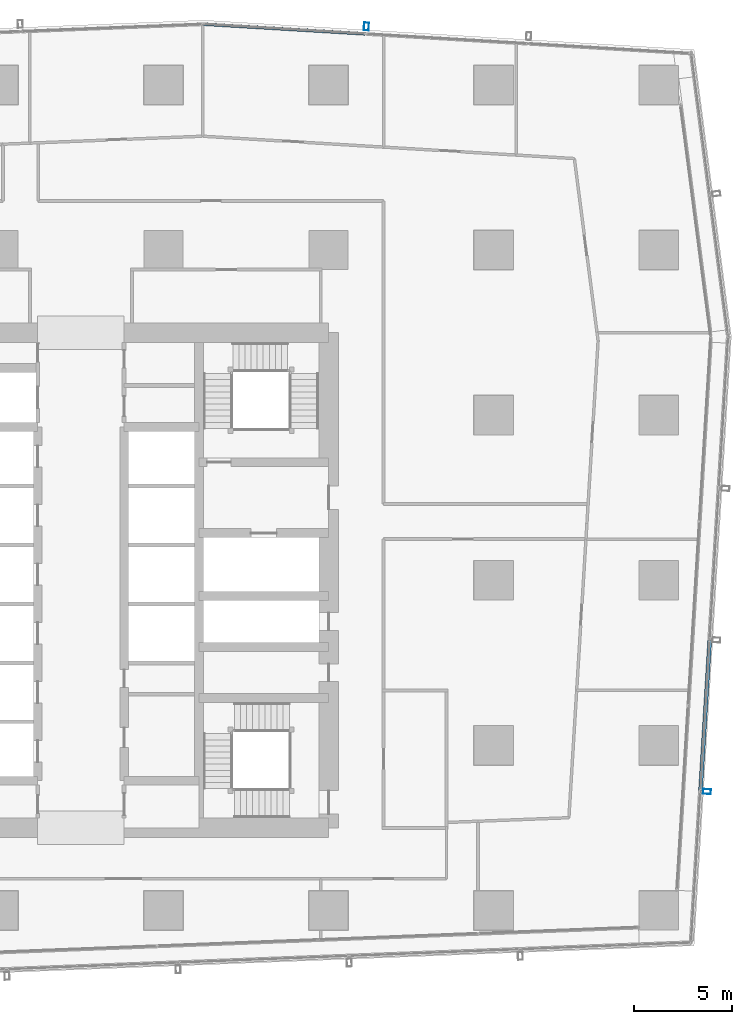
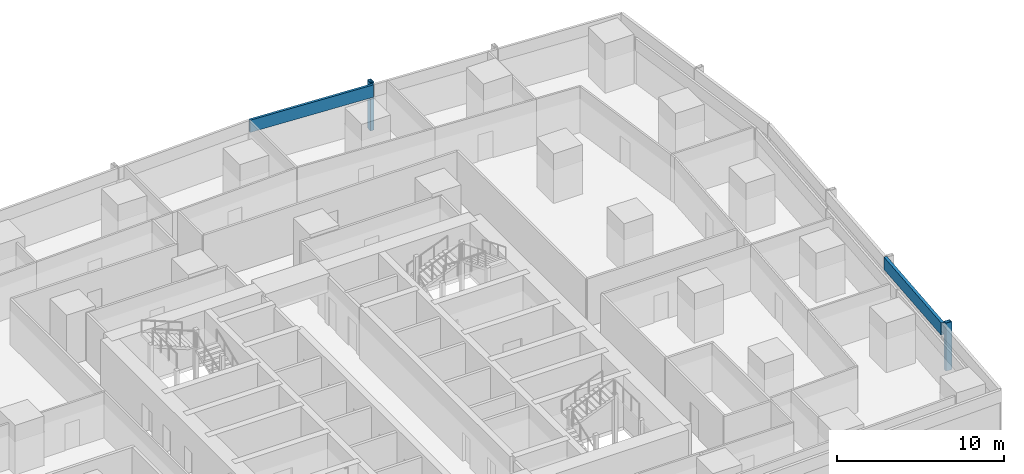
# One storey, part 21 of 36: 4 members, 2 elements without a shape of their own.
"""IFC4 building model written with IfcOpenShell, lengths in metres."""

from ifc_helpers import new_model, si_unit, direction, frame, origin, origin_2d, place, context, subcontext, project, spatial, hollow_rectangle, extrude, material, material_profile, profile_set, type_object, element, aggregate, save


model = new_model("IFC4")

# Units and contexts
model_context = context("Model", 3, precision=1e-05, world=origin(), true_north=direction((0.0, 1.0)))
body_context = subcontext(model_context, "Body", "Model", "MODEL_VIEW")
ifc_project = project(units=[si_unit("LENGTHUNIT", "METRE"), si_unit("AREAUNIT", "SQUARE_METRE"), si_unit("VOLUMEUNIT", "CUBIC_METRE"), si_unit("PLANEANGLEUNIT", "RADIAN"), si_unit("MASSUNIT", "GRAM", prefix="KILO")], contexts=[model_context])

# Site, building, storey
site_placement = place(None, origin())
site = spatial("IfcSite", under=ifc_project, at=site_placement, CompositionType="ELEMENT")
building_placement = place(site_placement, origin())
building = spatial("IfcBuilding", under=site, at=building_placement, Name="Rekha Terrace Tower", CompositionType="ELEMENT")
storey_placement = place(building_placement, frame((0.0, 0.0, 144.050048828125)))
storey = spatial("IfcBuildingStorey", under=building, at=storey_placement, Name="L36", CompositionType="ELEMENT", Elevation=144.050048828125)

# Curtain wall, member
ifc_material_1 = material(Name="Aluminium framing", Category="aluminium")
curtain_wall_type_1 = type_object("IfcCurtainWallType", Name="CW2 double skin outer glazing", PredefinedType="USERDEFINED", material=ifc_material_1)
curtain_wall_1_placement = place(storey_placement, origin())
curtain_wall_1 = element("IfcCurtainWall", 1, at=curtain_wall_1_placement, inside=storey, type_object=curtain_wall_type_1, Name="CW2 double skin outer glazing", ObjectType="DOUBLE SKIN OUTER GLAZING", PredefinedType="USERDEFINED")
ifc_material_2 = material(Name="Steel S355 with fluorocarbon finish", Category="steel")
ifc_material_profile_1 = material_profile(ifc_material_2, hollow_rectangle(XDim=0.25, YDim=0.39990234375, WallThickness=0.012451171875, at=origin_2d()), Name="RHS400x250x12.5")
ifc_profile_set_1 = profile_set([ifc_material_profile_1], Name="Steel S355 with fluorocarbon finish")
member_type_1 = type_object("IfcMemberType", Name="BL1 facade blade RHS 400 x 250", PredefinedType="USERDEFINED", material=ifc_profile_set_1)
member_1_placement = place(storey_placement, frame((69.656005859375, 22.845703125, 0.0), z_axis=(0.0, 0.0, 1.0), x_axis=(0.061160031881, 0.998127973008, 0.0)))
member_1 = element("IfcMember", 2, at=member_1_placement, type_object=member_type_1, Name="Facade blade", ObjectType="FACADE BLADE", PredefinedType="USERDEFINED", context=body_context, shape_type="SweptSolid", body=[
    extrude(hollow_rectangle(XDim=0.25, YDim=0.39990234375, WallThickness=0.012451171875, at=origin_2d()), origin(), (0.0, 0.0, 1.0), 3.5),
])

curtain_wall_type_2 = type_object("IfcCurtainWallType", Name="CW3 north unitised glazing", PredefinedType="USERDEFINED", material=ifc_material_1)
curtain_wall_2_placement = place(storey_placement, origin())
curtain_wall_2 = element("IfcCurtainWall", 3, at=curtain_wall_2_placement, inside=storey, type_object=curtain_wall_type_2, Name="CW3 unitised curtain wall", ObjectType="UNITISED CURTAIN WALL", PredefinedType="USERDEFINED")
member_2_placement = place(storey_placement, frame((52.322265625, 61.777587890625, 0.0), z_axis=(0.0, 0.0, 1.0), x_axis=(-0.998199123409, 0.059987582268, 0.0)))
member_2 = element("IfcMember", 4, at=member_2_placement, type_object=member_type_1, Name="Facade blade", ObjectType="FACADE BLADE", PredefinedType="USERDEFINED", context=body_context, shape_type="SweptSolid", body=[
    extrude(hollow_rectangle(XDim=0.25, YDim=0.39990234375, WallThickness=0.012451171875, at=origin_2d()), origin(), (0.0, 0.0, 1.0), 3.5),
])

# Member
ifc_material_3 = material(Name="Insulated aluminium spandrel box", Category="aluminium")
ifc_material_profile_2 = material_profile(ifc_material_3, hollow_rectangle(XDim=0.199951171875, YDim=0.89990234375, WallThickness=0.0029296875, at=origin_2d()), Name="AL SPANDREL BOX 200x900")
ifc_profile_set_2 = profile_set([ifc_material_profile_2], Name="Insulated aluminium spandrel box")
member_type_2 = type_object("IfcMemberType", Name="CW2 spandrel transom 200 x 900", PredefinedType="USERDEFINED", material=ifc_profile_set_2)
member_3_placement = place(storey_placement, frame((69.32421875, 22.90625, 3.050048828125), z_axis=(0.061141871886, 0.998129085591, 0.0), x_axis=(-0.998129085591, 0.061141871886, 0.0)))
member_3 = element("IfcMember", 5, at=member_3_placement, type_object=member_type_2, Name="CW2 spandrel transom 2", ObjectType="TRANSOM", PredefinedType="USERDEFINED", context=body_context, shape_type="SweptSolid", body=[
    extrude(hollow_rectangle(XDim=0.199951171875, YDim=0.89990234375, WallThickness=0.0029296875, at=origin_2d()), origin(), (0.0, 0.0, 1.0), 7.646728515625),
])

aggregate(curtain_wall_1, [member_3, member_1])

ifc_material_profile_3 = material_profile(ifc_material_3, hollow_rectangle(XDim=0.159912109375, YDim=0.89990234375, WallThickness=0.0029296875, at=origin_2d()), Name="AL SPANDREL BOX 160x900")
ifc_profile_set_3 = profile_set([ifc_material_profile_3], Name="Insulated aluminium spandrel box")
member_type_3 = type_object("IfcMemberType", Name="CW3 spandrel transom 160 x 900", PredefinedType="USERDEFINED", material=ifc_profile_set_3)
member_4_placement = place(storey_placement, frame((52.2646484375, 61.4052734375, 3.050048828125), z_axis=(-0.998199102701, 0.059987926845, 0.0), x_axis=(-0.059987926845, -0.998199102701, 0.0)))
member_4 = element("IfcMember", 6, at=member_4_placement, type_object=member_type_3, Name="CW3 spandrel transom 3", ObjectType="TRANSOM", PredefinedType="USERDEFINED", context=body_context, shape_type="SweptSolid", body=[
    extrude(hollow_rectangle(XDim=0.159912109375, YDim=0.89990234375, WallThickness=0.0029296875, at=origin_2d()), origin(), (0.0, 0.0, 1.0), 8.241455078125),
])

aggregate(curtain_wall_2, [member_4, member_2])

save(model, "model.ifc")
